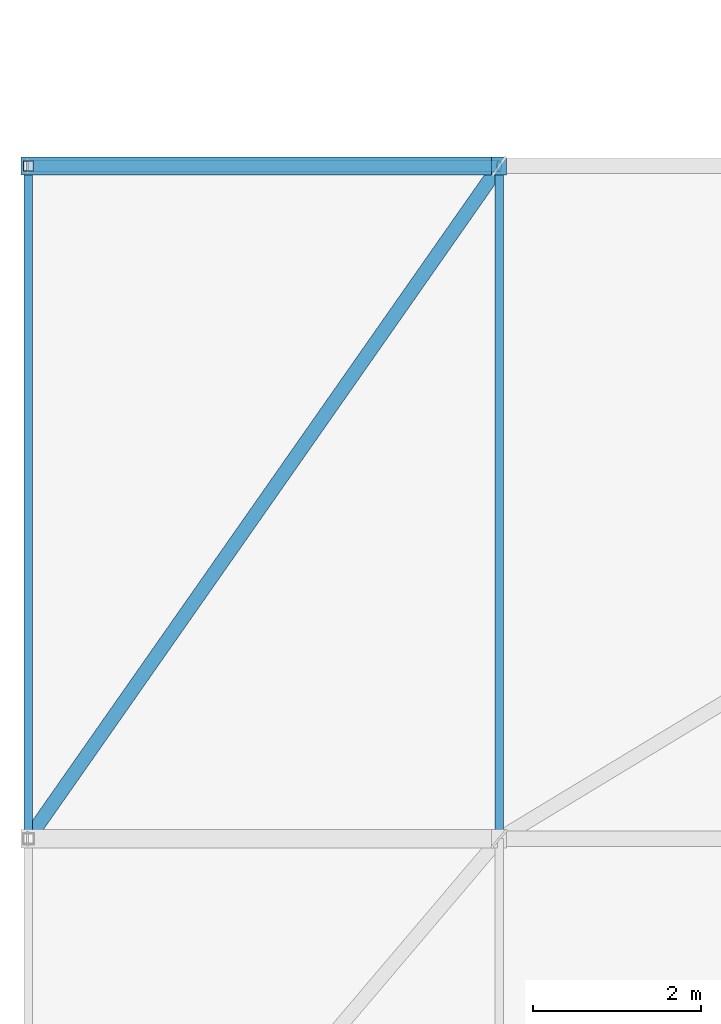
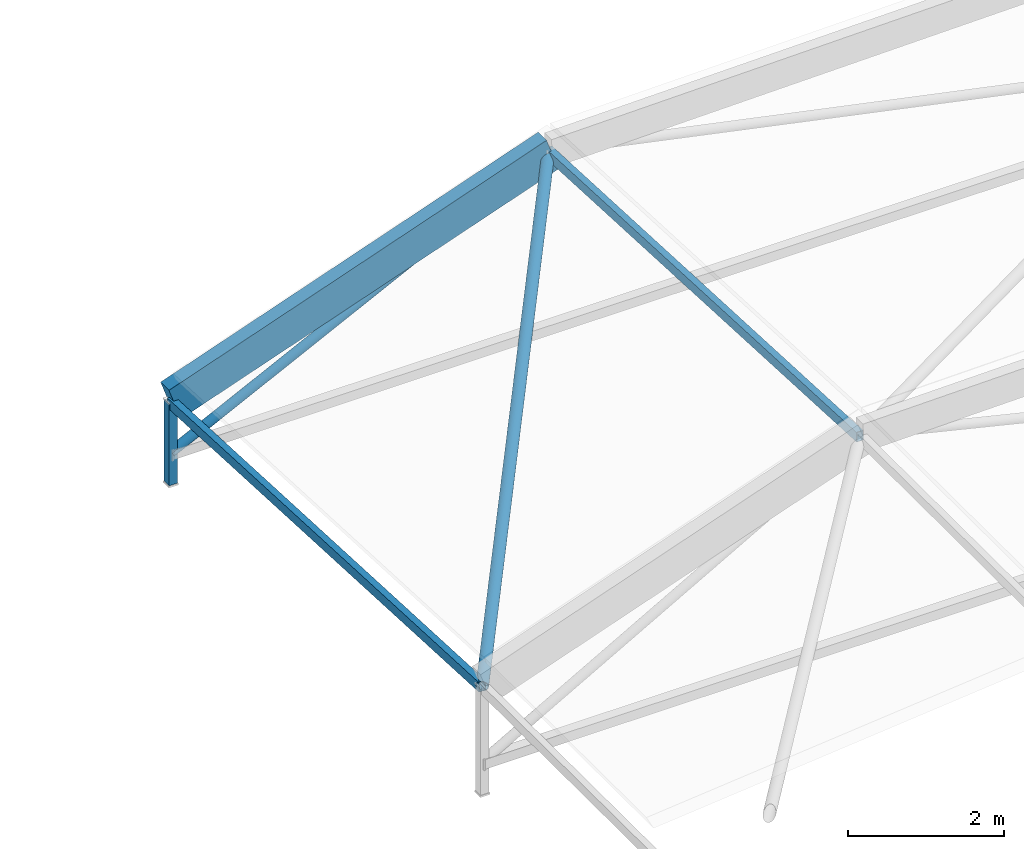
# One storey, part 36 of 134: 6 members.
"""IFC4 building model written with IfcOpenShell, lengths in metres."""

from ifc_helpers import new_model, si_unit, direction, frame, origin, origin_2d, place, context, subcontext, project, spatial, rectangle, hollow_rectangle, hollow_circle, extrude, material, material_profile, profile_set, type_object, element, save


model = new_model("IFC4")

# Units and contexts
model_context = context("Model", 3, precision=1e-05, world=origin(), true_north=direction((0.0, 1.0)))
body_context = subcontext(model_context, "Body", "Model", "MODEL_VIEW")
ifc_project = project(units=[si_unit("LENGTHUNIT", "METRE"), si_unit("AREAUNIT", "SQUARE_METRE"), si_unit("VOLUMEUNIT", "CUBIC_METRE"), si_unit("PLANEANGLEUNIT", "RADIAN"), si_unit("MASSUNIT", "GRAM", prefix="KILO")], contexts=[model_context])

# Site, building, storey
site_placement = place(None, origin())
site = spatial("IfcSite", under=ifc_project, at=site_placement, CompositionType="ELEMENT")
building_placement = place(site_placement, origin())
building = spatial("IfcBuilding", under=site, at=building_placement, Name="Karori Crest Natural Sciences Institute", CompositionType="ELEMENT")
storey_placement = place(building_placement, frame((0.0, 0.0, 21.699951171875)))
storey = spatial("IfcBuildingStorey", under=building, at=storey_placement, Name="L05", CompositionType="ELEMENT", Elevation=21.699951171875)

# Members
ifc_material_1 = material(Name="Hollow structural steel AS/NZS 1163 Grade C350", Category="steel")
ifc_material_profile_1 = material_profile(ifc_material_1, hollow_circle(Radius=0.084228515625, WallThickness=0.007080078125, at=origin_2d()), Name="CHS168.3x7.1")
ifc_profile_set_1 = profile_set([ifc_material_profile_1], Name="Hollow structural steel AS/NZS 1163 Grade C350")
member_type_1 = type_object("IfcMemberType", Name="MT-03", PredefinedType="BRACE", material=ifc_profile_set_1)
member_1_placement = place(storey_placement, frame((1.800048828125, 47.0, 1.3017578125), z_axis=(0.566202953793, 0.808882521249, 0.158503255278), x_axis=(-0.819238967772, 0.573452276727, 0.0)))
element("IfcMember", 1, at=member_1_placement, inside=storey, type_object=member_type_1, Name="Diagonal Brace M-0405", PredefinedType="BRACE", context=body_context, shape_type="SweptSolid", body=[
    extrude(hollow_circle(Radius=0.084228515625, WallThickness=0.007080078125, at=origin_2d()), origin(), (0.0, 0.0, 1.0), 9.89013671875),
])
ifc_material_profile_2 = material_profile(ifc_material_1, hollow_rectangle(XDim=0.10009765625, YDim=0.14990234375, WallThickness=0.006103515625, at=origin_2d()), Name="RHS150x100x6")
ifc_profile_set_2 = profile_set([ifc_material_profile_2], Name="Hollow structural steel AS/NZS 1163 Grade C350")
member_type_2 = type_object("IfcMemberType", Name="MT-11", PredefinedType="PURLIN", material=ifc_profile_set_2)
for number, where, z_axis, x_axis, name in (
    (2, (1.800048828125, 47.0, 1.3017578125), (0.0, 0.998804087924, -0.048891655183), (-1.0, 0.0, 0.0), "Member M-0404"),
    (3, (7.39990234375, 47.0, 3.260986328125), (0.0, 0.998804087924, -0.048891655183), (-1.0, 0.0, 0.0), "Member M-0408"),
):
    element("IfcMember", number, at=place(storey_placement, frame(where, z_axis=z_axis, x_axis=x_axis)), inside=storey, type_object=member_type_2, Name=name, PredefinedType="PURLIN", context=body_context, shape_type="SweptSolid", body=[
        extrude(hollow_rectangle(XDim=0.10009765625, YDim=0.14990234375, WallThickness=0.006103515625, at=origin_2d()), origin(), (0.0, 0.0, 1.0), 8.009521484375),
    ])
ifc_material_2 = material(Name="Glulam GL12", Category="wood")
ifc_material_profile_3 = material_profile(ifc_material_2, rectangle(XDim=0.215087890625, YDim=0.5400390625, at=origin_2d()), Name="GL215x540")
ifc_profile_set_3 = profile_set([ifc_material_profile_3], Name="Glulam GL12")
member_type_3 = type_object("IfcMemberType", Name="MT-16", PredefinedType="USERDEFINED", material=ifc_profile_set_3)
member_2_placement = place(storey_placement, frame((1.800048828125, 55.0, 0.929931640625), z_axis=(0.943896202388, 0.0, 0.330242273365), x_axis=(0.0, 1.0, 0.0)))
element("IfcMember", 4, at=member_2_placement, inside=storey, type_object=member_type_3, Name="Member M-0418", ObjectType="ARCH_SEGMENT", PredefinedType="USERDEFINED", context=body_context, shape_type="SweptSolid", body=[
    extrude(rectangle(XDim=0.215087890625, YDim=0.5400390625, at=origin_2d()), origin(), (0.0, 0.0, 1.0), 5.9326171875),
])
ifc_material_profile_4 = material_profile(ifc_material_1, hollow_circle(Radius=0.06982421875, WallThickness=0.00634765625, at=origin_2d()), Name="CHS139.7x6.4")
ifc_profile_set_4 = profile_set([ifc_material_profile_4], Name="Hollow structural steel AS/NZS 1163 Grade C350")
member_type_4 = type_object("IfcMemberType", Name="MT-18-IL", PredefinedType="STRUT", material=ifc_profile_set_4)
member_3_placement = place(storey_placement, frame((1.800048828125, 55.0, 0.1201171875), z_axis=(0.896395934561, 0.0, 0.443254248149), x_axis=(0.0, 1.0, 0.0)))
element("IfcMember", 5, at=member_3_placement, inside=storey, type_object=member_type_4, Name="Member M-0419", PredefinedType="STRUT", context=body_context, shape_type="SweptSolid", body=[
    extrude(hollow_circle(Radius=0.06982421875, WallThickness=0.00634765625, at=origin_2d()), origin(), (0.0, 0.0, 1.0), 6.2470703125),
])
ifc_material_profile_5 = material_profile(ifc_material_1, hollow_rectangle(XDim=0.125, YDim=0.125, WallThickness=0.006103515625, at=origin_2d()), Name="SHS125x125x6")
ifc_profile_set_5 = profile_set([ifc_material_profile_5], Name="Hollow structural steel AS/NZS 1163 Grade C350")
member_type_5 = type_object("IfcMemberType", Name="MT-20", PredefinedType="STRUT", material=ifc_profile_set_5)
member_4_placement = place(storey_placement, frame((1.800048828125, 55.0, -0.349853515625), z_axis=(0.0, 0.0, 1.0), x_axis=(1.0, 0.0, 0.0)))
element("IfcMember", 6, at=member_4_placement, inside=storey, type_object=member_type_5, Name="Member M-0415", PredefinedType="STRUT", context=body_context, shape_type="SweptSolid", body=[
    extrude(hollow_rectangle(XDim=0.125, YDim=0.125, WallThickness=0.006103515625, at=origin_2d()), origin(), (0.0, 0.0, 1.0), 1.27978515625),
])

save(model, "model.ifc")
